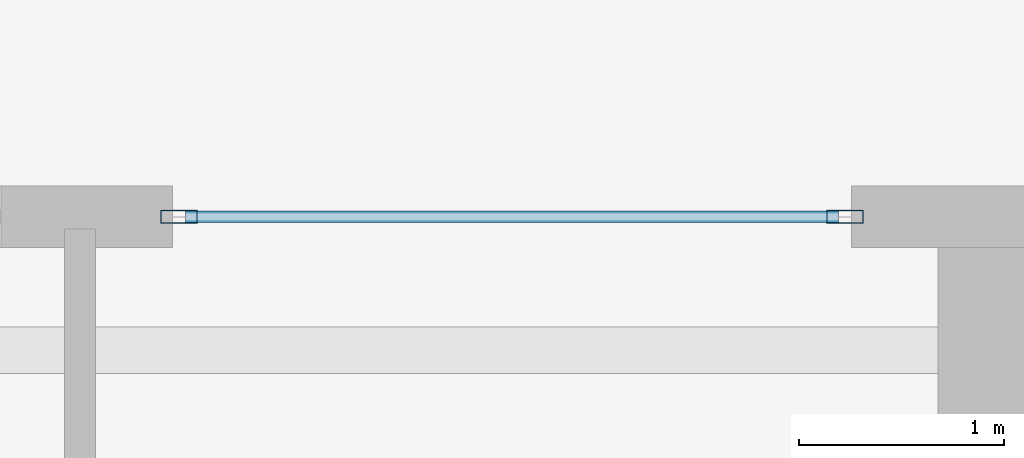
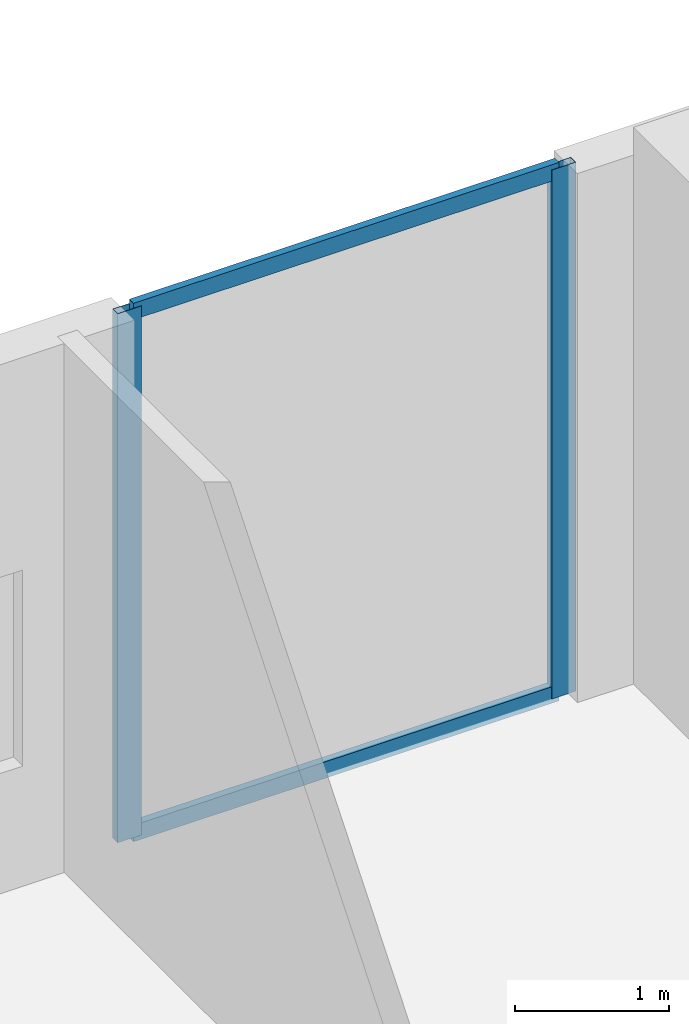
# One storey, part 14 of 23: 4 members, 1 element without a shape of its own.
"""IFC4 building model written with IfcOpenShell, lengths in metres."""

from ifc_helpers import new_model, si_unit, direction, frame, origin, origin_2d, place, context, subcontext, project, spatial, hollow_rectangle, extrude, material, layer, layer_set, material_profile, profile_set, type_object, element, aggregate, save


model = new_model("IFC4")

# Units and contexts
model_context = context("Model", 3, precision=1e-05, world=origin(), true_north=direction((0.0, 1.0)))
body_context = subcontext(model_context, "Body", "Model", "MODEL_VIEW")
ifc_project = project(units=[si_unit("LENGTHUNIT", "METRE"), si_unit("AREAUNIT", "SQUARE_METRE"), si_unit("VOLUMEUNIT", "CUBIC_METRE"), si_unit("PLANEANGLEUNIT", "RADIAN"), si_unit("MASSUNIT", "GRAM", prefix="KILO")], contexts=[model_context])

# Site, building, storey
site_placement = place(None, origin())
site = spatial("IfcSite", under=ifc_project, at=site_placement, CompositionType="ELEMENT")
building_placement = place(site_placement, origin())
building = spatial("IfcBuilding", under=site, at=building_placement, Name="Zuhayl Quay Hotel", CompositionType="ELEMENT")
storey_placement = place(building_placement, frame((0.0, 0.0, 288.449951171875)))
storey = spatial("IfcBuildingStorey", under=building, at=storey_placement, Name="L73", CompositionType="ELEMENT", Elevation=288.449951171875)

# Curtain wall, members
ifc_material_1 = material(Name="Anodised Aluminium 6063-T6", Category="aluminium")
ifc_layer = layer(ifc_material_1, 0.169921875, Name="Anodised Aluminium 6063-T6", Category="aluminium")
ifc_layer_set = layer_set([ifc_layer], Name="Anodised Aluminium 6063-T6")
curtain_wall_type = type_object("IfcCurtainWallType", Name="CW_SYS_Z4", PredefinedType="USERDEFINED", material=ifc_layer_set)
curtain_wall_placement = place(storey_placement, origin())
curtain_wall = element("IfcCurtainWall", 1, at=curtain_wall_placement, inside=storey, type_object=curtain_wall_type, Name="L73 Curtain Wall ENV_L73_N_CW3", ObjectType="UNITISED CURTAIN WALL", PredefinedType="USERDEFINED")
ifc_material_2 = material(Name="Black-anodised aluminium 6063-T6", Category="aluminium")
ifc_material_profile_1 = material_profile(ifc_material_2, hollow_rectangle(XDim=0.06494140625, YDim=0.179931640625, WallThickness=0.00341796875, at=origin_2d()), Name="ALU180X65")
ifc_profile_set_1 = profile_set([ifc_material_profile_1], Name="Black-anodised aluminium 6063-T6")
member_type_1 = type_object("IfcMemberType", Name="MB_CW_MUL_180", PredefinedType="MULLION", material=ifc_profile_set_1)
member_1_placement = place(storey_placement, frame((0.402587890625, 39.0, 0.0), z_axis=(0.0, 0.0, 1.0), x_axis=(0.0, 1.0, 0.0)))
member_1 = element("IfcMember", 2, at=member_1_placement, type_object=member_type_1, Name="CW-Z4 mullion 1", PredefinedType="MULLION", context=body_context, shape_type="SweptSolid", body=[
    extrude(hollow_rectangle(XDim=0.06494140625, YDim=0.179931640625, WallThickness=0.00341796875, at=origin_2d()), origin(), (0.0, 0.0, 1.0), 4.179931640625),
])
member_2_placement = place(storey_placement, frame((3.6474609375, 39.0, 0.0), z_axis=(0.0, 0.0, 1.0), x_axis=(0.0, 1.0, 0.0)))
member_2 = element("IfcMember", 3, at=member_2_placement, type_object=member_type_1, Name="CW-Z4 mullion 2", PredefinedType="MULLION", context=body_context, shape_type="SweptSolid", body=[
    extrude(hollow_rectangle(XDim=0.06494140625, YDim=0.179931640625, WallThickness=0.00341796875, at=origin_2d()), origin(), (0.0, 0.0, 1.0), 4.179931640625),
])
ifc_material_profile_2 = material_profile(ifc_material_2, hollow_rectangle(XDim=0.054931640625, YDim=0.1298828125, WallThickness=0.0029296875, at=origin_2d()), Name="ALU130X55")
ifc_profile_set_2 = profile_set([ifc_material_profile_2], Name="Black-anodised aluminium 6063-T6")
member_type_2 = type_object("IfcMemberType", Name="MB_CW_TRN_130", PredefinedType="USERDEFINED", material=ifc_profile_set_2)
member_3_placement = place(storey_placement, frame((0.43505859375, 39.0, 0.027587890625), z_axis=(1.0, 0.0, 0.0), x_axis=(0.0, 1.0, 0.0)))
member_3 = element("IfcMember", 4, at=member_3_placement, type_object=member_type_2, Name="CW-Z4 transom 1.1", ObjectType="TRANSOM", PredefinedType="USERDEFINED", context=body_context, shape_type="SweptSolid", body=[
    extrude(hollow_rectangle(XDim=0.054931640625, YDim=0.1298828125, WallThickness=0.0029296875, at=origin_2d()), origin(), (0.0, 0.0, 1.0), 3.179931640625),
])
member_4_placement = place(storey_placement, frame((0.43505859375, 39.0, 4.152587890625), z_axis=(1.0, 0.0, 0.0), x_axis=(0.0, 1.0, 0.0)))
member_4 = element("IfcMember", 5, at=member_4_placement, type_object=member_type_2, Name="CW-Z4 transom 1.2", ObjectType="TRANSOM", PredefinedType="USERDEFINED", context=body_context, shape_type="SweptSolid", body=[
    extrude(hollow_rectangle(XDim=0.054931640625, YDim=0.1298828125, WallThickness=0.0029296875, at=origin_2d()), origin(), (0.0, 0.0, 1.0), 3.179931640625),
])
aggregate(curtain_wall, [member_1, member_2, member_3, member_4])

save(model, "model.ifc")
